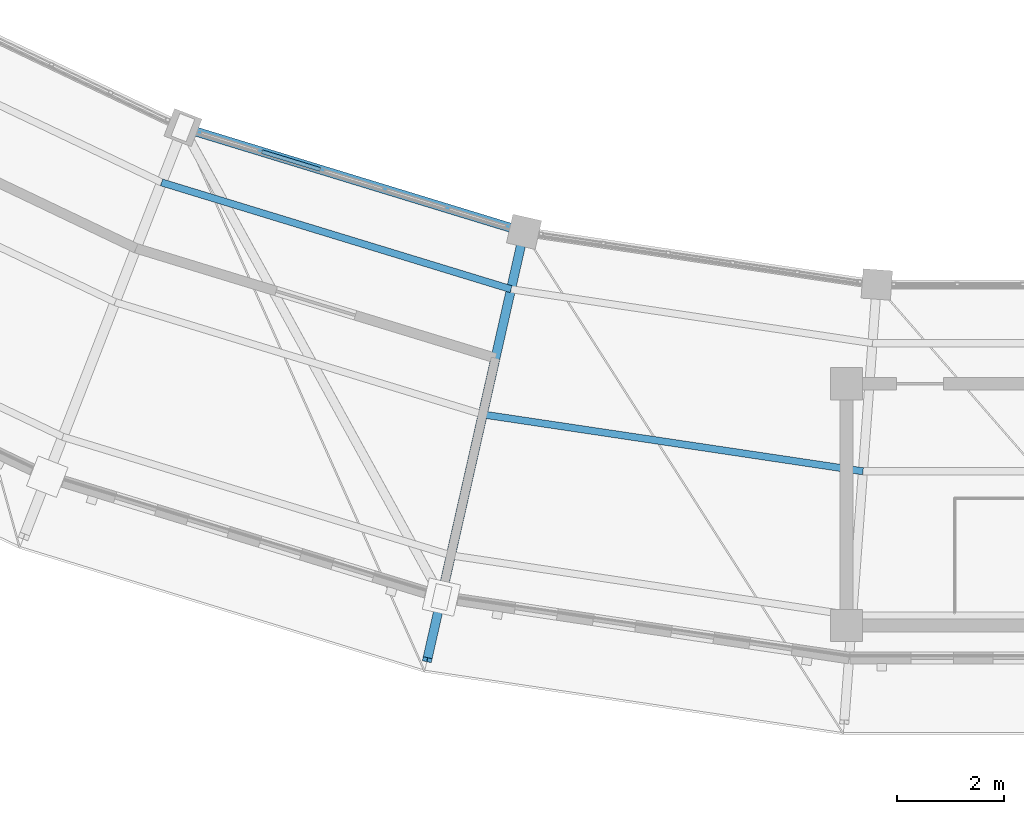
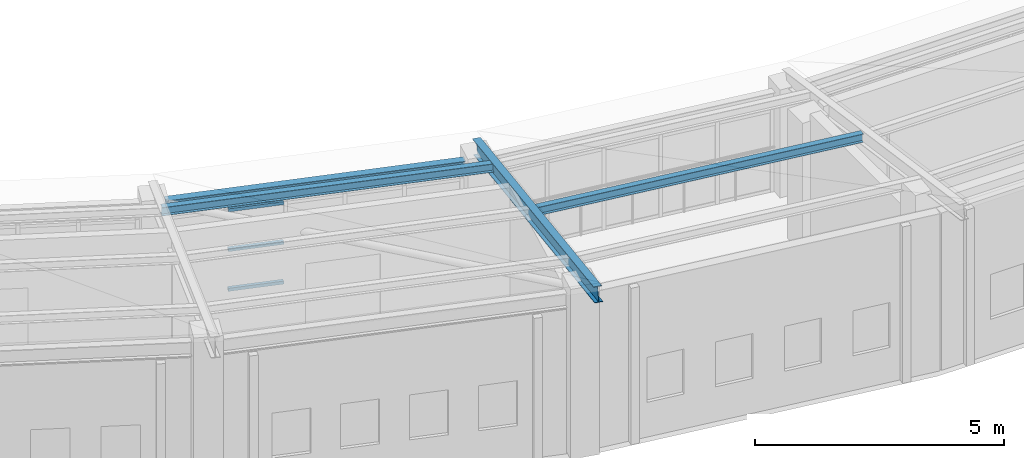
# One storey, part 34 of 149: 6 members, 1 beam, 1 element without a shape of its own.
"""IFC4 building model written with IfcOpenShell, lengths in metres."""

from ifc_helpers import new_model, si_unit, direction, frame, origin, origin_2d, place, context, subcontext, project, spatial, hollow_rectangle, i_section, extrude, material, material_profile, profile_set, type_object, element, aggregate, save


model = new_model("IFC4")

# Units and contexts
model_context = context("Model", 3, precision=1e-05, world=origin(), true_north=direction((0.0, 1.0)))
body_context = subcontext(model_context, "Body", "Model", "MODEL_VIEW")
ifc_project = project(units=[si_unit("LENGTHUNIT", "METRE"), si_unit("AREAUNIT", "SQUARE_METRE"), si_unit("VOLUMEUNIT", "CUBIC_METRE"), si_unit("PLANEANGLEUNIT", "RADIAN"), si_unit("MASSUNIT", "GRAM", prefix="KILO")], contexts=[model_context])

# Site, building, storey
site_placement = place(None, origin())
site = spatial("IfcSite", under=ifc_project, at=site_placement, CompositionType="ELEMENT")
building_placement = place(site_placement, origin())
building = spatial("IfcBuilding", under=site, at=building_placement, Name="Celadon Cloister-Ring School", CompositionType="ELEMENT")
storey_placement = place(building_placement, frame((0.0, 0.0, 12.5)))
storey = spatial("IfcBuildingStorey", under=building, at=storey_placement, Name="L03", CompositionType="ELEMENT", Elevation=12.5)

# Curtain wall, members
ifc_material_1 = material(Name="Aluminium EN AW-6063 T6", Category="aluminium")
curtain_wall_type = type_object("IfcCurtainWallType", Name="CW-02", PredefinedType="USERDEFINED", material=ifc_material_1)
curtain_wall_placement = place(storey_placement, origin())
curtain_wall = element("IfcCurtainWall", 1, at=curtain_wall_placement, inside=storey, type_object=curtain_wall_type, Name="Curtain Wall 0059", ObjectType="CURTAIN WALL", PredefinedType="USERDEFINED")
ifc_material_2 = material(Name="Aluminium EN AW-6063 T6", Category="aluminium")
ifc_material_profile_1 = material_profile(ifc_material_2, hollow_rectangle(XDim=0.074951171875, YDim=0.074951171875, WallThickness=0.00390625, at=origin_2d()), Name="RHS75X75X4")
ifc_profile_set_1 = profile_set([ifc_material_profile_1], Name="Aluminium EN AW-6063 T6")
member_type_1 = type_object("IfcMemberType", Name="CTM-03", PredefinedType="USERDEFINED", material=ifc_profile_set_1)
member_1_placement = place(storey_placement, frame((72.17138671875, 16.607177734375, 0.03759765625), z_axis=(0.956258565169, -0.292522745338, 0.0), x_axis=(0.292522745338, 0.956258565169, 0.0)))
member_1 = element("IfcMember", 2, at=member_1_placement, type_object=member_type_1, Name="CW-02 transom 2.1", ObjectType="TRANSOM", PredefinedType="USERDEFINED", context=body_context, shape_type="SweptSolid", body=[
    extrude(hollow_rectangle(XDim=0.074951171875, YDim=0.074951171875, WallThickness=0.00390625, at=origin_2d()), origin(), (0.0, 0.0, 1.0), 1.141845703125),
])
member_2_placement = place(storey_placement, frame((72.17138671875, 16.607177734375, 1.010009765625), z_axis=(0.956258565169, -0.292522745338, 0.0), x_axis=(0.292522745338, 0.956258565169, 0.0)))
member_2 = element("IfcMember", 3, at=member_2_placement, type_object=member_type_1, Name="CW-02 transom 2.2", ObjectType="TRANSOM", PredefinedType="USERDEFINED", context=body_context, shape_type="SweptSolid", body=[
    extrude(hollow_rectangle(XDim=0.074951171875, YDim=0.074951171875, WallThickness=0.00390625, at=origin_2d()), origin(), (0.0, 0.0, 1.0), 1.141845703125),
])
member_3_placement = place(storey_placement, frame((72.17138671875, 16.607177734375, 1.982421875), z_axis=(0.956258565169, -0.292522745338, 0.0), x_axis=(0.292522745338, 0.956258565169, 0.0)))
member_3 = element("IfcMember", 4, at=member_3_placement, type_object=member_type_1, Name="CW-02 transom 2.3", ObjectType="TRANSOM", PredefinedType="USERDEFINED", context=body_context, shape_type="SweptSolid", body=[
    extrude(hollow_rectangle(XDim=0.074951171875, YDim=0.074951171875, WallThickness=0.00390625, at=origin_2d()), origin(), (0.0, 0.0, 1.0), 1.141845703125),
])
aggregate(curtain_wall, [member_1, member_2, member_3])

# Beam
ifc_material_3 = material(Name="Structural steel S355JR", Category="steel")
ifc_material_profile_2 = material_profile(ifc_material_3, i_section(OverallWidth=0.1708984375, OverallDepth=0.35498046875, WebThickness=0.007080078125, FlangeThickness=0.01171875, at=origin_2d()), Name="W360X51")
ifc_profile_set_2 = profile_set([ifc_material_profile_2], Name="Structural steel S355JR")
beam_type = type_object("IfcBeamType", Name="GT-08", PredefinedType="USERDEFINED", material=ifc_profile_set_2)
beam_placement = place(storey_placement, frame((70.93701171875, 16.98388671875, 2.27197265625), z_axis=(0.956344808861, -0.292240665488, 0.0), x_axis=(0.292240665488, 0.956344808861, 0.0)))
element("IfcBeam", 5, at=beam_placement, inside=storey, type_object=beam_type, Name="Beam 0555", ObjectType="GIRDER", PredefinedType="USERDEFINED", context=body_context, shape_type="SweptSolid", body=[
    extrude(i_section(OverallWidth=0.1708984375, OverallDepth=0.35498046875, WebThickness=0.007080078125, FlangeThickness=0.01171875, at=origin_2d()), origin(), (0.0, 0.0, 1.0), 6.166259765625),
])

# Members
ifc_material_4 = material(Name="Structural steel S355JR", Category="steel")
ifc_material_profile_3 = material_profile(ifc_material_4, i_section(OverallWidth=0.133056640625, OverallDepth=0.20703125, WebThickness=0.005859375, FlangeThickness=0.00830078125, at=origin_2d()), Name="W200X27")
ifc_profile_set_3 = profile_set([ifc_material_profile_3], Name="Structural steel S355JR")
member_type_2 = type_object("IfcMemberType", Name="MP-04", PredefinedType="PURLIN", material=ifc_profile_set_3)
member_4_placement = place(storey_placement, frame((70.299072265625, 16.031982421875, 2.970947265625), z_axis=(0.95634296876, -0.292246687071, 0.0), x_axis=(0.292246687071, 0.95634296876, 0.0)))
element("IfcMember", 6, at=member_4_placement, inside=storey, type_object=member_type_2, Name="Structural Member 0153", PredefinedType="PURLIN", context=body_context, shape_type="SweptSolid", body=[
    extrude(i_section(OverallWidth=0.133056640625, OverallDepth=0.20703125, WebThickness=0.005859375, FlangeThickness=0.00830078125, at=origin_2d()), origin(), (0.0, 0.0, 1.0), 6.830078125),
])
member_5_placement = place(storey_placement, frame((76.301025390625, 11.695068359375, 3.4599609375), z_axis=(0.989015470168, -0.147812042027, 0.0), x_axis=(0.147812042027, 0.989015470168, 0.0)))
element("IfcMember", 7, at=member_5_placement, inside=storey, type_object=member_type_2, Name="Structural Member 0160", PredefinedType="PURLIN", context=body_context, shape_type="SweptSolid", body=[
    extrude(i_section(OverallWidth=0.133056640625, OverallDepth=0.20703125, WebThickness=0.005859375, FlangeThickness=0.00830078125, at=origin_2d()), origin(), (0.0, 0.0, 1.0), 7.184814453125),
])
ifc_material_5 = material(Name="Structural steel S355JR", Category="steel")
ifc_material_profile_4 = material_profile(ifc_material_5, i_section(OverallWidth=0.1708984375, OverallDepth=0.35498046875, WebThickness=0.007080078125, FlangeThickness=0.01171875, at=origin_2d()), Name="W360X51")
ifc_profile_set_4 = profile_set([ifc_material_profile_4], Name="Structural steel S355JR")
member_type_3 = type_object("IfcMemberType", Name="MR-05", PredefinedType="RAFTER", material=ifc_profile_set_4)
member_6_placement = place(storey_placement, frame((77.072998046875, 15.10888671875, 2.72607421875), z_axis=(-0.215186169885, -0.951320342682, 0.220645684047), x_axis=(0.975359012507, -0.220623654039, 0.0)))
element("IfcMember", 8, at=member_6_placement, inside=storey, type_object=member_type_3, Name="Structural Member 0034", PredefinedType="RAFTER", context=body_context, shape_type="SweptSolid", body=[
    extrude(i_section(OverallWidth=0.1708984375, OverallDepth=0.35498046875, WebThickness=0.007080078125, FlangeThickness=0.01171875, at=origin_2d()), origin(), (0.0, 0.0, 1.0), 8.406982421875),
])

save(model, "model.ifc")
